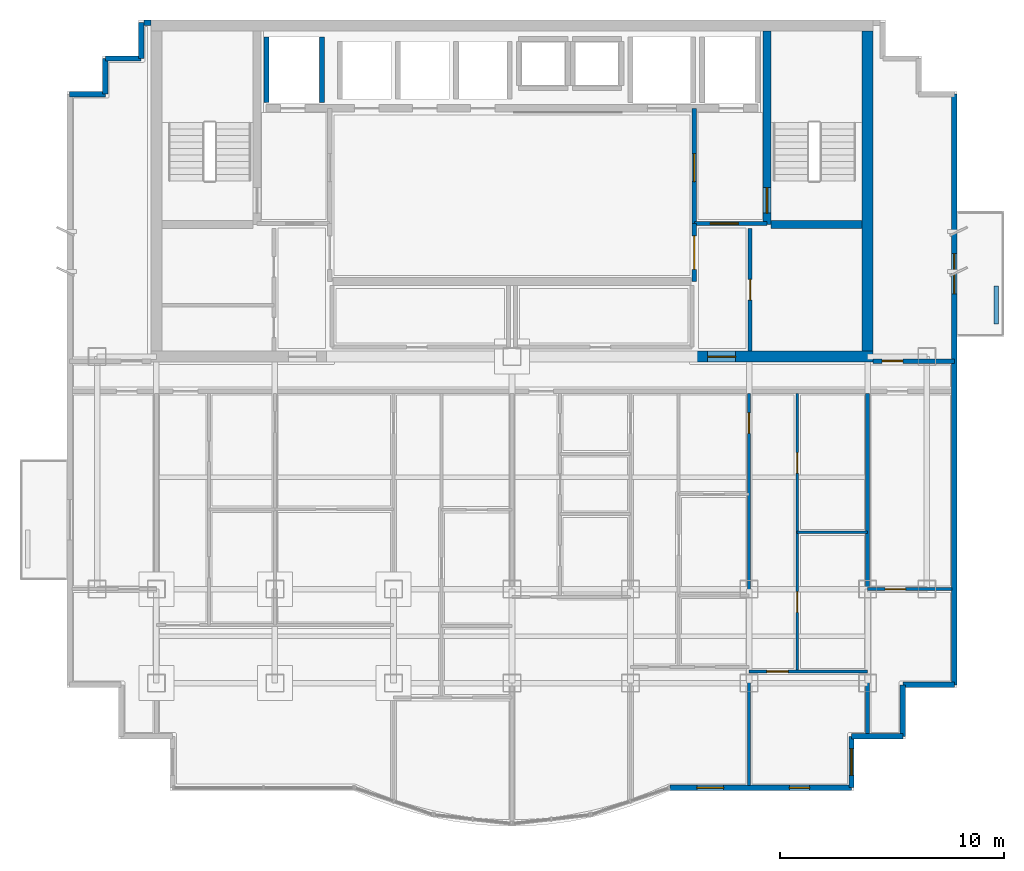
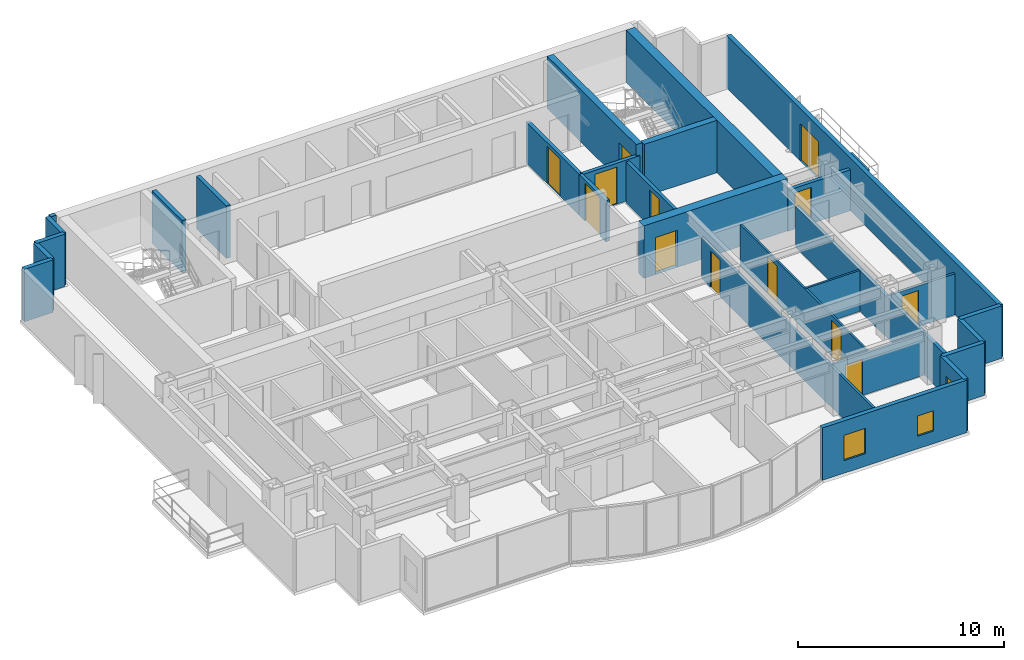
# One storey, part 6 of 9: 29 walls, 13 doors, 3 windows, 16 openings.
"""IFC4 building model written with IfcOpenShell, lengths in metres."""

from ifc_helpers import new_model, si_unit, direction, frame, frame_2d, origin, place, context, subcontext, project, spatial, rectangle, extrude, material, layer, layer_set, type_object, element, fill, save


model = new_model("IFC4")

# Units and contexts
model_context = context("Model", 3, precision=1e-05, world=origin(), true_north=direction((0.0, 1.0)))
body_context = subcontext(model_context, "Body", "Model", "MODEL_VIEW")
ifc_project = project(units=[si_unit("LENGTHUNIT", "METRE"), si_unit("AREAUNIT", "SQUARE_METRE"), si_unit("VOLUMEUNIT", "CUBIC_METRE"), si_unit("PLANEANGLEUNIT", "RADIAN"), si_unit("MASSUNIT", "GRAM", prefix="KILO")], contexts=[model_context])

# Site, building, storey
site_placement = place(None, origin())
site = spatial("IfcSite", under=ifc_project, at=site_placement, CompositionType="ELEMENT")
building_placement = place(site_placement, origin())
building = spatial("IfcBuilding", under=site, at=building_placement, Name="Qianlan Lanfeng Residences", CompositionType="ELEMENT")
storey_placement = place(building_placement, frame((0.0, 0.0, 213.199951171875)))
storey = spatial("IfcBuildingStorey", under=building, at=storey_placement, Name="L58", CompositionType="ELEMENT", Elevation=213.199951171875)

# Wall, opening, door
ifc_material_1 = material(Name="Concrete C49", Category="concrete")
ifc_layer_1 = layer(ifc_material_1, 0.35009765625)
ifc_layer_set_1 = layer_set([ifc_layer_1], Name="Concrete C49")
wall_type_1 = type_object("IfcWallType", Name="CW-RC-350", PredefinedType="SHEAR", material=ifc_layer_set_1)
wall_1_placement = place(storey_placement, frame((37.89990234375, 31.10009765625, 0.0), z_axis=(0.0, 0.0, 1.0), x_axis=(0.0, 1.0, 0.0)))
wall_1 = element("IfcWall", 1, at=wall_1_placement, inside=storey, type_object=wall_type_1, Name="L58 Core Shear Wall ST2W", PredefinedType="SHEAR", context=body_context, shape_type="SweptSolid", body=[
    extrude(rectangle(XDim=8.64990234375, YDim=0.35009765625, at=frame_2d((4.324951171875, 0.0))), origin(), (0.0, 0.0, 1.0), 3.110107421875),
])
opening_1_placement = place(wall_1_placement, frame((0.510009765625, 0.0, 0.0)))
opening_1 = element("IfcOpeningElement", 2, at=opening_1_placement, cuts=wall_1, Name="Opening L58-D08", PredefinedType="OPENING", context=body_context, shape_type="SweptSolid", body=[
    extrude(rectangle(XDim=1.14990234375, YDim=2.199951171875, at=frame_2d((0.574951171875, 1.10009765625))), frame((0.0, 0.18505859375, 0.0), z_axis=(0.0, -1.0, 0.0), x_axis=(1.0, 0.0, 0.0)), (0.0, 0.0, 1.0), 0.3701171875),
])
ifc_material_2 = material(Name="Painted Galvanised Steel Fire Door", Category="steel")
door_type_1 = type_object("IfcDoorType", Name="DT-ST1", OperationType="NOTDEFINED", PredefinedType="DOOR", material=ifc_material_2)
door_1_placement = place(opening_1_placement, origin())
door_1 = element("IfcDoor", 3, at=door_1_placement, inside=storey, type_object=door_type_1, Name="L58 Exit Stair ST-2 Door L58-D08 (DT-ST1)", OperationType="SINGLE_SWING_RIGHT", OverallHeight=2.199951171875, OverallWidth=1.14990234375, PredefinedType="DOOR", context=body_context, shape_type="SweptSolid", body=[
    extrude(rectangle(XDim=1.14990234375, YDim=2.199951171875, at=frame_2d((0.574951171875, 1.10009765625))), frame((0.0, 0.02490234375, 0.0), z_axis=(0.0, -1.0, 0.0), x_axis=(1.0, 0.0, 0.0)), (0.0, 0.0, 1.0), 0.050048828125),
])
fill(opening_1, door_1)

# Walls
wall_2_placement = place(storey_placement, frame((38.074951171875, 31.10009765625, 0.0), z_axis=(0.0, 0.0, 1.0), x_axis=(1.0, 0.0, 0.0)))
element("IfcWall", 4, at=wall_2_placement, inside=storey, type_object=wall_type_1, Name="L58 Core Shear Wall ST2S", PredefinedType="SHEAR", context=body_context, shape_type="SweptSolid", body=[
    extrude(rectangle(XDim=4.074951171875, YDim=0.35009765625, at=frame_2d((2.03759765625, 0.0))), origin(), (0.0, 0.0, 1.0), 3.110107421875),
])
ifc_material_3 = material(Name="Concrete C70", Category="concrete")
ifc_layer_2 = layer(ifc_material_3, 0.5)
ifc_layer_set_2 = layer_set([ifc_layer_2], Name="Concrete C70")
wall_type_2 = type_object("IfcWallType", Name="CW-RC-500", PredefinedType="SHEAR", material=ifc_layer_set_2)
wall_3_placement = place(storey_placement, frame((42.39990234375, 25.449951171875, 0.0), z_axis=(0.0, 0.0, 1.0), x_axis=(0.0, 1.0, 0.0)))
element("IfcWall", 5, at=wall_3_placement, inside=storey, type_object=wall_type_2, Name="L58 Core Shear Wall E", PredefinedType="SHEAR", context=body_context, shape_type="SweptSolid", body=[
    extrude(rectangle(XDim=14.300048828125, YDim=0.5, at=frame_2d((7.14990234375, 0.0))), origin(), (0.0, 0.0, 1.0), 3.110107421875),
])

# Wall, opening, door
wall_4_placement = place(storey_placement, frame((34.60009765625, 25.199951171875, 0.0), z_axis=(0.0, 0.0, 1.0), x_axis=(1.0, 0.0, 0.0)))
wall_4 = element("IfcWall", 6, at=wall_4_placement, inside=storey, type_object=wall_type_2, Name="L58 Core Shear Wall SE", PredefinedType="SHEAR", context=body_context, shape_type="SweptSolid", body=[
    extrude(rectangle(XDim=8.0498046875, YDim=0.5, at=frame_2d((4.02490234375, 0.0))), origin(), (0.0, 0.0, 1.0), 3.110107421875),
])
opening_2_placement = place(wall_4_placement, frame((0.64990234375, 0.0, 0.0)))
opening_2 = element("IfcOpeningElement", 7, at=opening_2_placement, cuts=wall_4, Name="Opening L58-D02", PredefinedType="OPENING", context=body_context, shape_type="SweptSolid", body=[
    extrude(rectangle(XDim=1.25, YDim=2.199951171875, at=frame_2d((0.625, 1.10009765625))), frame((0.0, 0.260009765625, 0.0), z_axis=(0.0, -1.0, 0.0), x_axis=(1.0, 0.0, 0.0)), (0.0, 0.0, 1.0), 0.52001953125),
])
door_type_2 = type_object("IfcDoorType", Name="DT-FFL", OperationType="NOTDEFINED", PredefinedType="DOOR", material=ifc_material_2)
door_2_placement = place(opening_2_placement, frame((1.25, 0.0, 0.0), z_axis=(0.0, 0.0, 1.0), x_axis=(-1.0, 0.0, 0.0)))
door_2 = element("IfcDoor", 8, at=door_2_placement, inside=storey, type_object=door_type_2, Name="L58 East Core Lobby Smoke Door L58-D02 (DT-FFL)", OperationType="SINGLE_SWING_LEFT", OverallHeight=2.199951171875, OverallWidth=1.25, PredefinedType="DOOR", context=body_context, shape_type="SweptSolid", body=[
    extrude(rectangle(XDim=1.25, YDim=2.199951171875, at=frame_2d((0.625, 1.10009765625))), frame((0.0, 0.02490234375, 0.0), z_axis=(0.0, -1.0, 0.0), x_axis=(1.0, 0.0, 0.0)), (0.0, 0.0, 1.0), 0.050048828125),
])
fill(opening_2, door_2)

# Wall, openings, windows
ifc_material_4 = material(Name="Concrete C42", Category="concrete")
ifc_layer_3 = layer(ifc_material_4, 0.239990234375)
ifc_layer_set_3 = layer_set([ifc_layer_3], Name="Concrete C42")
wall_type_3 = type_object("IfcWallType", Name="EW-240", PredefinedType="SOLIDWALL", material=ifc_layer_set_3)
wall_5_placement = place(storey_placement, frame((33.555908203125, 5.919921875, 0.0), z_axis=(0.0, 0.0, 1.0), x_axis=(1.0, 0.0, 0.0)))
wall_5 = element("IfcWall", 9, at=wall_5_placement, inside=storey, type_object=wall_type_3, Name="L58 Exterior Facade Spandrel Wall 5", PredefinedType="SOLIDWALL", context=body_context, shape_type="SweptSolid", body=[
    extrude(rectangle(XDim=8.1240234375, YDim=0.239990234375, at=frame_2d((4.06201171875, 0.0))), origin(), (0.0, 0.0, 1.0), 3.110107421875),
])
opening_3_placement = place(wall_5_placement, frame((5.347900390625, 0.0, 0.75)))
opening_3 = element("IfcOpeningElement", 10, at=opening_3_placement, cuts=wall_5, Name="Opening W-04", PredefinedType="OPENING", context=body_context, shape_type="SweptSolid", body=[
    extrude(rectangle(XDim=0.89990234375, YDim=1.199951171875, at=frame_2d((0.449951171875, 0.60009765625))), frame((0.0, 0.1298828125, 0.0), z_axis=(0.0, -1.0, 0.0), x_axis=(1.0, 0.0, 0.0)), (0.0, 0.0, 1.0), 0.260009765625),
])
opening_4_placement = place(wall_5_placement, frame((1.2080078125, 0.0, 0.75)))
opening_4 = element("IfcOpeningElement", 11, at=opening_4_placement, cuts=wall_5, Name="Opening W-03", PredefinedType="OPENING", context=body_context, shape_type="SweptSolid", body=[
    extrude(rectangle(XDim=1.199951171875, YDim=1.5, at=frame_2d((0.60009765625, 0.75))), frame((0.0, 0.1298828125, 0.0), z_axis=(0.0, -1.0, 0.0), x_axis=(1.0, 0.0, 0.0)), (0.0, 0.0, 1.0), 0.260009765625),
])
ifc_material_5 = material(Name="Anodised Bronze Aluminium Framed Double Glazing", Category="aluminium")
window_type_1 = type_object("IfcWindowType", Name="W-03", PartitioningType="SINGLE_PANEL", PredefinedType="WINDOW", material=ifc_material_5)
window_1_placement = place(opening_4_placement, origin())
window_1 = element("IfcWindow", 12, at=window_1_placement, inside=storey, type_object=window_type_1, Name="L58 Facade Bay Window W-03", OverallHeight=1.5, OverallWidth=1.199951171875, PartitioningType="SINGLE_PANEL", PredefinedType="WINDOW", context=body_context, shape_type="SweptSolid", body=[
    extrude(rectangle(XDim=1.199951171875, YDim=1.5, at=frame_2d((0.60009765625, 0.75))), frame((0.0, 0.030029296875, 0.0), z_axis=(0.0, -1.0, 0.0), x_axis=(1.0, 0.0, 0.0)), (0.0, 0.0, 1.0), 0.06005859375),
])
fill(opening_4, window_1)
window_type_2 = type_object("IfcWindowType", Name="W-04", PartitioningType="SINGLE_PANEL", PredefinedType="WINDOW", material=ifc_material_5)
window_2_placement = place(opening_3_placement, origin())
window_2 = element("IfcWindow", 13, at=window_2_placement, inside=storey, type_object=window_type_2, Name="L58 Facade Punched Window W-04", OverallHeight=1.199951171875, OverallWidth=0.89990234375, PartitioningType="SINGLE_PANEL", PredefinedType="WINDOW", context=body_context, shape_type="SweptSolid", body=[
    extrude(rectangle(XDim=0.89990234375, YDim=1.199951171875, at=frame_2d((0.449951171875, 0.60009765625))), frame((0.0, 0.030029296875, 0.0), z_axis=(0.0, -1.0, 0.0), x_axis=(1.0, 0.0, 0.0)), (0.0, 0.0, 1.0), 0.06005859375),
])
fill(opening_3, window_2)

# Wall, opening, window
wall_6_placement = place(storey_placement, frame((41.679931640625, 5.919921875, 0.0), z_axis=(0.0, 0.0, 1.0), x_axis=(0.0, 1.0, 0.0)))
wall_6 = element("IfcWall", 14, at=wall_6_placement, inside=storey, type_object=wall_type_3, Name="L58 Exterior Facade Spandrel Wall 6", PredefinedType="SOLIDWALL", context=body_context, shape_type="SweptSolid", body=[
    extrude(rectangle(XDim=2.300048828125, YDim=0.239990234375, at=frame_2d((1.14990234375, 0.0))), origin(), (0.0, 0.0, 1.0), 3.110107421875),
])
opening_5_placement = place(wall_6_placement, frame((0.550048828125, 0.0, 0.75)))
opening_5 = element("IfcOpeningElement", 15, at=opening_5_placement, cuts=wall_6, Name="Opening W-03", PredefinedType="OPENING", context=body_context, shape_type="SweptSolid", body=[
    extrude(rectangle(XDim=1.199951171875, YDim=1.5, at=frame_2d((0.60009765625, 0.75))), frame((0.0, 0.1298828125, 0.0), z_axis=(0.0, -1.0, 0.0), x_axis=(1.0, 0.0, 0.0)), (0.0, 0.0, 1.0), 0.260009765625),
])
window_3_placement = place(opening_5_placement, origin())
window_3 = element("IfcWindow", 16, at=window_3_placement, inside=storey, type_object=window_type_1, Name="L58 Facade Punched Window W-03", OverallHeight=1.5, OverallWidth=1.199951171875, PartitioningType="SINGLE_PANEL", PredefinedType="WINDOW", context=body_context, shape_type="SweptSolid", body=[
    extrude(rectangle(XDim=1.199951171875, YDim=1.5, at=frame_2d((0.60009765625, 0.75))), frame((0.0, 0.030029296875, 0.0), z_axis=(0.0, -1.0, 0.0), x_axis=(1.0, 0.0, 0.0)), (0.0, 0.0, 1.0), 0.06005859375),
])
fill(opening_5, window_3)

# Walls
for number, where, z_axis, x_axis, name in (
    (17, (41.679931640625, 8.219970703125, 0.0), (0.0, 0.0, 1.0), (1.0, 0.0, 0.0), "L58 Exterior Facade Spandrel Wall 7"),
    (18, (43.97998046875, 8.219970703125, 0.0), (0.0, 0.0, 1.0), (0.0, 1.0, 0.0), "L58 Exterior Facade Spandrel Wall 8"),
    (19, (43.97998046875, 10.52001953125, 0.0), (0.0, 0.0, 1.0), (1.0, 0.0, 0.0), "L58 Exterior Facade Spandrel Wall 9"),
):
    element("IfcWall", number, at=place(storey_placement, frame(where, z_axis=z_axis, x_axis=x_axis)), inside=storey, type_object=wall_type_3, Name=name, PredefinedType="SOLIDWALL", context=body_context, shape_type="SweptSolid", body=[
        extrude(rectangle(XDim=2.300048828125, YDim=0.239990234375, at=frame_2d((1.14990234375, 0.0))), origin(), (0.0, 0.0, 1.0), 3.110107421875),
    ])

# Wall, opening, door
wall_7_placement = place(storey_placement, frame((46.280029296875, 10.52001953125, 0.0), z_axis=(0.0, 0.0, 1.0), x_axis=(0.0, 1.0, 0.0)))
wall_7 = element("IfcWall", 20, at=wall_7_placement, inside=storey, type_object=wall_type_3, Name="L58 Terrace/Balcony Access Exterior Wall 10", PredefinedType="SOLIDWALL", context=body_context, shape_type="SweptSolid", body=[
    extrude(rectangle(XDim=26.409912109375, YDim=0.239990234375, at=frame_2d((13.205078125, 0.0))), origin(), (0.0, 0.0, 1.0), 3.110107421875),
])
opening_6_placement = place(wall_7_placement, frame((17.47998046875, 0.0, 0.0)))
opening_6 = element("IfcOpeningElement", 21, at=opening_6_placement, cuts=wall_7, Name="Opening L58-D-EB-N", PredefinedType="OPENING", context=body_context, shape_type="SweptSolid", body=[
    extrude(rectangle(XDim=1.800048828125, YDim=2.199951171875, at=frame_2d((0.89990234375, 1.10009765625))), frame((0.0, 0.1298828125, 0.0), z_axis=(0.0, -1.0, 0.0), x_axis=(1.0, 0.0, 0.0)), (0.0, 0.0, 1.0), 0.260009765625),
])
ifc_material_6 = material(Name="Anodised Bronze Aluminium Framed Glass", Category="aluminium")
door_type_3 = type_object("IfcDoorType", Name="DT-BAL1", OperationType="NOTDEFINED", PredefinedType="DOOR", material=ifc_material_6)
door_3_placement = place(opening_6_placement, frame((1.800048828125, 0.0, 0.0), z_axis=(0.0, 0.0, 1.0), x_axis=(-1.0, 0.0, 0.0)))
door_3 = element("IfcDoor", 22, at=door_3_placement, inside=storey, type_object=door_type_3, Name="L58 Exterior Access Door EB-N", OperationType="DOUBLE_DOOR_SLIDING", OverallHeight=2.199951171875, OverallWidth=1.800048828125, PredefinedType="DOOR", context=body_context, shape_type="SweptSolid", body=[
    extrude(rectangle(XDim=1.800048828125, YDim=2.199951171875, at=frame_2d((0.89990234375, 1.10009765625))), frame((0.0, 0.02490234375, 0.0), z_axis=(0.0, -1.0, 0.0), x_axis=(1.0, 0.0, 0.0)), (0.0, 0.0, 1.0), 0.050048828125),
])
fill(opening_6, door_3)

# Walls
wall_8_placement = place(storey_placement, frame((10.35009765625, 40.1298828125, 0.0), z_axis=(0.0, 0.0, 1.0), x_axis=(-1.0, 0.0, 0.0)))
element("IfcWall", 23, at=wall_8_placement, inside=storey, type_object=wall_type_3, Name="L58 North Wing Exterior Wall W", PredefinedType="SOLIDWALL", context=body_context, shape_type="SweptSolid", body=[
    extrude(rectangle(XDim=0.300048828125, YDim=0.239990234375, at=frame_2d((0.14990234375, 0.0))), origin(), (0.0, 0.0, 1.0), 3.110107421875),
])
for number, where, z_axis, x_axis, name in (
    (24, (9.919921875, 40.1298828125, 0.0), (0.0, 0.0, 1.0), (0.0, -1.0, 0.0), "L58 Exterior Facade Spandrel Wall 17"),
    (25, (9.919921875, 38.530029296875, 0.0), (0.0, 0.0, 1.0), (-1.0, 0.0, 0.0), "L58 Exterior Facade Spandrel Wall 18"),
):
    element("IfcWall", number, at=place(storey_placement, frame(where, z_axis=z_axis, x_axis=x_axis)), inside=storey, type_object=wall_type_3, Name=name, PredefinedType="SOLIDWALL", context=body_context, shape_type="SweptSolid", body=[
        extrude(rectangle(XDim=1.599853515625, YDim=0.239990234375, at=frame_2d((0.7998046875, 0.0))), origin(), (0.0, 0.0, 1.0), 3.110107421875),
    ])
for number, where, z_axis, x_axis, name in (
    (26, (8.320068359375, 38.530029296875, 0.0), (0.0, 0.0, 1.0), (0.0, -1.0, 0.0), "L58 Exterior Facade Spandrel Wall 19"),
    (27, (8.320068359375, 36.929931640625, 0.0), (0.0, 0.0, 1.0), (-1.0, 0.0, 0.0), "L58 Exterior Facade Spandrel Wall 20"),
):
    element("IfcWall", number, at=place(storey_placement, frame(where, z_axis=z_axis, x_axis=x_axis)), inside=storey, type_object=wall_type_3, Name=name, PredefinedType="SOLIDWALL", context=body_context, shape_type="SweptSolid", body=[
        extrude(rectangle(XDim=1.60009765625, YDim=0.239990234375, at=frame_2d((0.800048828125, 0.0))), origin(), (0.0, 0.0, 1.0), 3.110107421875),
    ])
ifc_layer_4 = layer(ifc_material_4, 0.199951171875)
ifc_layer_set_4 = layer_set([ifc_layer_4], Name="Concrete C42")
wall_type_4 = type_object("IfcWallType", Name="PL-TREE-200", PredefinedType="PARAPET", material=ifc_layer_set_4)
wall_9_placement = place(storey_placement, frame((48.14990234375, 26.64990234375, 0.0), z_axis=(0.0, 0.0, 1.0), x_axis=(0.0, 1.0, 0.0)))
element("IfcWall", 28, at=wall_9_placement, inside=storey, type_object=wall_type_4, Name="L58 East Tree Planter Curb EB-N", PredefinedType="PARAPET", context=body_context, shape_type="SweptSolid", body=[
    extrude(rectangle(XDim=1.7001953125, YDim=0.199951171875, at=frame_2d((0.85009765625, 0.0))), origin(), (0.0, 0.0, 1.0), 0.650146484375),
])

# Wall, openings, doors
ifc_material_7 = material(Name="Demountable Acoustic Framing Partition 110 mm")
ifc_layer_5 = layer(ifc_material_7, 0.110107421875)
ifc_layer_set_5 = layer_set([ifc_layer_5], Name="Demountable Acoustic Framing Partition 110 mm")
wall_type_5 = type_object("IfcWallType", Name="PW-110", PredefinedType="MOVABLE", material=ifc_layer_set_5)
wall_10_placement = place(storey_placement, frame((39.25, 11.1201171875, 0.0), z_axis=(0.0, 0.0, 1.0), x_axis=(0.0, 1.0, 0.0)))
wall_10 = element("IfcWall", 29, at=wall_10_placement, inside=storey, type_object=wall_type_5, Name="L58 U02 Bedroom 2 Hall Wall", PredefinedType="MOVABLE", context=body_context, shape_type="SweptSolid", body=[
    extrude(rectangle(XDim=12.429931640625, YDim=0.110107421875, at=frame_2d((6.21484375, 0.0))), origin(), (0.0, 0.0, 1.0), 2.429931640625),
])
opening_7_placement = place(wall_10_placement, frame((2.64697265625, 0.0, 0.0)))
opening_7 = element("IfcOpeningElement", 30, at=opening_7_placement, cuts=wall_10, Name="Opening L58-D39", PredefinedType="OPENING", context=body_context, shape_type="SweptSolid", body=[
    extrude(rectangle(XDim=0.919921875, YDim=2.14990234375, at=frame_2d((0.4599609375, 1.074951171875))), frame((0.0, 0.06494140625, 0.0), z_axis=(0.0, -1.0, 0.0), x_axis=(1.0, 0.0, 0.0)), (0.0, 0.0, 1.0), 0.130126953125),
])
opening_8_placement = place(wall_10_placement, frame((8.863037109375, 0.0, 0.0)))
opening_8 = element("IfcOpeningElement", 31, at=opening_8_placement, cuts=wall_10, Name="Opening L58-D40", PredefinedType="OPENING", context=body_context, shape_type="SweptSolid", body=[
    extrude(rectangle(XDim=0.919921875, YDim=2.14990234375, at=frame_2d((0.4599609375, 1.074951171875))), frame((0.0, 0.06494140625, 0.0), z_axis=(0.0, -1.0, 0.0), x_axis=(1.0, 0.0, 0.0)), (0.0, 0.0, 1.0), 0.130126953125),
])
ifc_material_8 = material(Name="Glazed Timber Kitchen/Study Door", Category="wood")
door_type_4 = type_object("IfcDoorType", Name="DT-INT", OperationType="NOTDEFINED", PredefinedType="DOOR", material=ifc_material_8)
door_4_placement = place(opening_7_placement, origin())
door_4 = element("IfcDoor", 32, at=door_4_placement, inside=storey, type_object=door_type_4, Name="L58 U02 Utility Door L58-D39 (DT-INT)", OperationType="SINGLE_SWING_LEFT", OverallHeight=2.14990234375, OverallWidth=0.919921875, PredefinedType="DOOR", context=body_context, shape_type="SweptSolid", body=[
    extrude(rectangle(XDim=0.919921875, YDim=2.14990234375, at=frame_2d((0.4599609375, 1.074951171875))), frame((0.0, 0.02490234375, 0.0), z_axis=(0.0, -1.0, 0.0), x_axis=(1.0, 0.0, 0.0)), (0.0, 0.0, 1.0), 0.050048828125),
])
fill(opening_7, door_4)
door_5_placement = place(opening_8_placement, origin())
door_5 = element("IfcDoor", 33, at=door_5_placement, inside=storey, type_object=door_type_4, Name="L58 U02 Specialty Door L58-D40 (DT-INT)", OperationType="SINGLE_SWING_RIGHT", OverallHeight=2.14990234375, OverallWidth=0.919921875, PredefinedType="DOOR", context=body_context, shape_type="SweptSolid", body=[
    extrude(rectangle(XDim=0.919921875, YDim=2.14990234375, at=frame_2d((0.4599609375, 1.074951171875))), frame((0.0, 0.02490234375, 0.0), z_axis=(0.0, -1.0, 0.0), x_axis=(1.0, 0.0, 0.0)), (0.0, 0.0, 1.0), 0.050048828125),
])
fill(opening_8, door_5)

# Wall
wall_11_placement = place(storey_placement, frame((39.25, 17.3349609375, 0.0), z_axis=(0.0, 0.0, 1.0), x_axis=(1.0, 0.0, 0.0)))
element("IfcWall", 34, at=wall_11_placement, inside=storey, type_object=wall_type_5, Name="L58 U02 Specialty Split Wall", PredefinedType="MOVABLE", context=body_context, shape_type="SweptSolid", body=[
    extrude(rectangle(XDim=3.14990234375, YDim=0.110107421875, at=frame_2d((1.574951171875, 0.0))), origin(), (0.0, 0.0, 1.0), 2.429931640625),
])

# Wall, opening, door
ifc_material_9 = material(Name="Moisture-Resistant Gypsum Partition 135 mm")
ifc_layer_6 = layer(ifc_material_9, 0.135009765625)
ifc_layer_set_6 = layer_set([ifc_layer_6], Name="Moisture-Resistant Gypsum Partition 135 mm")
wall_type_6 = type_object("IfcWallType", Name="PW-135", PredefinedType="PARTITIONING", material=ifc_layer_set_6)
wall_12_placement = place(storey_placement, frame((37.10009765625, 6.02001953125, 0.0), z_axis=(0.0, 0.0, 1.0), x_axis=(0.0, 1.0, 0.0)))
wall_12 = element("IfcWall", 35, at=wall_12_placement, inside=storey, type_object=wall_type_6, Name="L58 U02 Bay Spine Wall 2", PredefinedType="PARTITIONING", context=body_context, shape_type="SweptSolid", body=[
    extrude(rectangle(XDim=17.530029296875, YDim=0.135009765625, at=frame_2d((8.76513671875, 0.0))), origin(), (0.0, 0.0, 1.0), 2.429931640625),
])
opening_9_placement = place(wall_12_placement, frame((15.7451171875, 0.0, 0.0)))
opening_9 = element("IfcOpeningElement", 36, at=opening_9_placement, cuts=wall_12, Name="Opening L58-D29", PredefinedType="OPENING", context=body_context, shape_type="SweptSolid", body=[
    extrude(rectangle(XDim=0.919921875, YDim=2.14990234375, at=frame_2d((0.4599609375, 1.074951171875))), frame((0.0, 0.07763671875, 0.0), z_axis=(0.0, -1.0, 0.0), x_axis=(1.0, 0.0, 0.0)), (0.0, 0.0, 1.0), 0.155029296875),
])
door_6_placement = place(opening_9_placement, origin())
door_6 = element("IfcDoor", 37, at=door_6_placement, inside=storey, type_object=door_type_4, Name="L58 U02 Internal Hall Door L58-D29 (DT-INT)", OperationType="SINGLE_SWING_LEFT", OverallHeight=2.14990234375, OverallWidth=0.919921875, PredefinedType="DOOR", context=body_context, shape_type="SweptSolid", body=[
    extrude(rectangle(XDim=0.919921875, YDim=2.14990234375, at=frame_2d((0.4599609375, 1.074951171875))), frame((0.0, 0.02490234375, 0.0), z_axis=(0.0, -1.0, 0.0), x_axis=(1.0, 0.0, 0.0)), (0.0, 0.0, 1.0), 0.050048828125),
])
fill(opening_9, door_6)

wall_13_placement = place(storey_placement, frame((37.10009765625, 11.1201171875, 0.0), z_axis=(0.0, 0.0, 1.0), x_axis=(1.0, 0.0, 0.0)))
wall_13 = element("IfcWall", 38, at=wall_13_placement, inside=storey, type_object=wall_type_6, Name="L58 U02 Bedroom 2 North Wall", PredefinedType="PARTITIONING", context=body_context, shape_type="SweptSolid", body=[
    extrude(rectangle(XDim=5.2998046875, YDim=0.135009765625, at=frame_2d((2.64990234375, 0.0))), origin(), (0.0, 0.0, 1.0), 2.429931640625),
])
opening_10_placement = place(wall_13_placement, frame((0.800048828125, 0.0, 0.0)))
opening_10 = element("IfcOpeningElement", 39, at=opening_10_placement, cuts=wall_13, Name="Opening L58-D38", PredefinedType="OPENING", context=body_context, shape_type="SweptSolid", body=[
    extrude(rectangle(XDim=0.949951171875, YDim=2.14990234375, at=frame_2d((0.47509765625, 1.074951171875))), frame((0.0, 0.07763671875, 0.0), z_axis=(0.0, -1.0, 0.0), x_axis=(1.0, 0.0, 0.0)), (0.0, 0.0, 1.0), 0.155029296875),
])
ifc_material_10 = material(Name="Painted Solid-Core Timber Leaf", Category="wood")
door_type_5 = type_object("IfcDoorType", Name="DT-BED", OperationType="NOTDEFINED", PredefinedType="DOOR", material=ifc_material_10)
door_7_placement = place(opening_10_placement, origin())
door_7 = element("IfcDoor", 40, at=door_7_placement, inside=storey, type_object=door_type_5, Name="L58 U02 Bedroom 2 Door L58-D38 (DT-BED)", OperationType="SINGLE_SWING_LEFT", OverallHeight=2.14990234375, OverallWidth=0.949951171875, PredefinedType="DOOR", context=body_context, shape_type="SweptSolid", body=[
    extrude(rectangle(XDim=0.949951171875, YDim=2.14990234375, at=frame_2d((0.47509765625, 1.074951171875))), frame((0.0, 0.02490234375, 0.0), z_axis=(0.0, -1.0, 0.0), x_axis=(1.0, 0.0, 0.0)), (0.0, 0.0, 1.0), 0.050048828125),
])
fill(opening_10, door_7)

wall_14_placement = place(storey_placement, frame((42.39990234375, 14.800048828125, 0.0), z_axis=(0.0, 0.0, 1.0), x_axis=(1.0, 0.0, 0.0)))
wall_14 = element("IfcWall", 41, at=wall_14_placement, inside=storey, type_object=wall_type_6, Name="L58 SEP Mid Partition", PredefinedType="PARTITIONING", context=body_context, shape_type="SweptSolid", body=[
    extrude(rectangle(XDim=3.780029296875, YDim=0.135009765625, at=frame_2d((1.89013671875, 0.0))), origin(), (0.0, 0.0, 1.0), 2.429931640625),
])
opening_11_placement = place(wall_14_placement, frame((0.780029296875, 0.0, 0.0)))
opening_11 = element("IfcOpeningElement", 42, at=opening_11_placement, cuts=wall_14, Name="Opening L58-D43", PredefinedType="OPENING", context=body_context, shape_type="SweptSolid", body=[
    extrude(rectangle(XDim=0.919921875, YDim=2.14990234375, at=frame_2d((0.4599609375, 1.074951171875))), frame((0.0, 0.07763671875, 0.0), z_axis=(0.0, -1.0, 0.0), x_axis=(1.0, 0.0, 0.0)), (0.0, 0.0, 1.0), 0.155029296875),
])
door_8_placement = place(opening_11_placement, origin())
door_8 = element("IfcDoor", 43, at=door_8_placement, inside=storey, type_object=door_type_4, Name="L58 SEP Inner Door L58-D43 (DT-INT)", OperationType="SINGLE_SWING_RIGHT", OverallHeight=2.14990234375, OverallWidth=0.919921875, PredefinedType="DOOR", context=body_context, shape_type="SweptSolid", body=[
    extrude(rectangle(XDim=0.919921875, YDim=2.14990234375, at=frame_2d((0.4599609375, 1.074951171875))), frame((0.0, 0.02490234375, 0.0), z_axis=(0.0, -1.0, 0.0), x_axis=(1.0, 0.0, 0.0)), (0.0, 0.0, 1.0), 0.050048828125),
])
fill(opening_11, door_8)

ifc_material_11 = material(Name="Double-Layer Acoustic Gypsum Stud Wall 180 mm")
ifc_layer_7 = layer(ifc_material_11, 0.179931640625)
ifc_layer_set_7 = layer_set([ifc_layer_7], Name="Double-Layer Acoustic Gypsum Stud Wall 180 mm")
wall_type_7 = type_object("IfcWallType", Name="PW-180", PredefinedType="PARTITIONING", material=ifc_layer_set_7)
wall_15_placement = place(storey_placement, frame((37.14990234375, 25.449951171875, 0.0), z_axis=(0.0, 0.0, 1.0), x_axis=(0.0, 1.0, 0.0)))
wall_15 = element("IfcWall", 44, at=wall_15_placement, inside=storey, type_object=wall_type_7, Name="L58 Core East Service Room Wall", PredefinedType="PARTITIONING", context=body_context, shape_type="SweptSolid", body=[
    extrude(rectangle(XDim=5.47509765625, YDim=0.179931640625, at=frame_2d((2.737548828125, 0.0))), origin(), (0.0, 0.0, 1.0), 2.429931640625),
])
opening_12_placement = place(wall_15_placement, frame((2.277099609375, 0.0, 0.0)))
opening_12 = element("IfcOpeningElement", 45, at=opening_12_placement, cuts=wall_15, Name="Opening L58-D11", PredefinedType="OPENING", context=body_context, shape_type="SweptSolid", body=[
    extrude(rectangle(XDim=0.919921875, YDim=2.14990234375, at=frame_2d((0.4599609375, 1.074951171875))), frame((0.0, 0.10009765625, 0.0), z_axis=(0.0, -1.0, 0.0), x_axis=(1.0, 0.0, 0.0)), (0.0, 0.0, 1.0), 0.199951171875),
])
door_9_placement = place(opening_12_placement, origin())
door_9 = element("IfcDoor", 46, at=door_9_placement, inside=storey, type_object=door_type_4, Name="L58 Mail Parcel Closet Door L58-D11 (DT-INT)", OperationType="SINGLE_SWING_LEFT", OverallHeight=2.14990234375, OverallWidth=0.919921875, PredefinedType="DOOR", context=body_context, shape_type="SweptSolid", body=[
    extrude(rectangle(XDim=0.919921875, YDim=2.14990234375, at=frame_2d((0.4599609375, 1.074951171875))), frame((0.0, 0.02490234375, 0.0), z_axis=(0.0, -1.0, 0.0), x_axis=(1.0, 0.0, 0.0)), (0.0, 0.0, 1.0), 0.050048828125),
])
fill(opening_12, door_9)

# Wall
wall_16_placement = place(storey_placement, frame((42.39990234375, 8.320068359375, 0.0), z_axis=(0.0, 0.0, 1.0), x_axis=(0.0, 1.0, 0.0)))
element("IfcWall", 47, at=wall_16_placement, inside=storey, type_object=wall_type_7, Name="L58 Wing Boundary Party Wall E0", PredefinedType="PARTITIONING", context=body_context, shape_type="SweptSolid", body=[
    extrude(rectangle(XDim=15.22998046875, YDim=0.179931640625, at=frame_2d((7.614990234375, 0.0))), origin(), (0.0, 0.0, 1.0), 2.429931640625),
])

# Wall, opening, door
ifc_material_12 = material(Name="Autoclaved Aerated Concrete Blockwork 200 mm", Category="masonry")
ifc_layer_8 = layer(ifc_material_12, 0.199951171875)
ifc_layer_set_8 = layer_set([ifc_layer_8], Name="Autoclaved Aerated Concrete Blockwork 200 mm")
wall_type_8 = type_object("IfcWallType", Name="PW-200", PredefinedType="PARTITIONING", material=ifc_layer_set_8)
wall_17_placement = place(storey_placement, frame((34.64990234375, 31.14990234375, 0.0), z_axis=(0.0, 0.0, 1.0), x_axis=(1.0, 0.0, 0.0)))
wall_17 = element("IfcWall", 48, at=wall_17_placement, inside=storey, type_object=wall_type_8, Name="L58 Firefighting Lobby 2 South Wall", PredefinedType="PARTITIONING", context=body_context, shape_type="SweptSolid", body=[
    extrude(rectangle(XDim=3.25, YDim=0.199951171875, at=frame_2d((1.625, 0.0))), origin(), (0.0, 0.0, 1.0), 2.429931640625),
])
opening_13_placement = place(wall_17_placement, frame((0.72509765625, 0.0, 0.0)))
opening_13 = element("IfcOpeningElement", 49, at=opening_13_placement, cuts=wall_17, Name="Opening L58-D05", PredefinedType="OPENING", context=body_context, shape_type="SweptSolid", body=[
    extrude(rectangle(XDim=1.25, YDim=2.199951171875, at=frame_2d((0.625, 1.10009765625))), frame((0.0, 0.10986328125, 0.0), z_axis=(0.0, -1.0, 0.0), x_axis=(1.0, 0.0, 0.0)), (0.0, 0.0, 1.0), 0.219970703125),
])
door_10_placement = place(opening_13_placement, origin())
door_10 = element("IfcDoor", 50, at=door_10_placement, inside=storey, type_object=door_type_2, Name="L58 Firefighting Lobby 2 Entry Door L58-D05 (DT-FFL)", OperationType="SINGLE_SWING_RIGHT", OverallHeight=2.199951171875, OverallWidth=1.25, PredefinedType="DOOR", context=body_context, shape_type="SweptSolid", body=[
    extrude(rectangle(XDim=1.25, YDim=2.199951171875, at=frame_2d((0.625, 1.10009765625))), frame((0.0, 0.02490234375, 0.0), z_axis=(0.0, -1.0, 0.0), x_axis=(1.0, 0.0, 0.0)), (0.0, 0.0, 1.0), 0.050048828125),
])
fill(opening_13, door_10)

wall_18_placement = place(storey_placement, frame((34.64990234375, 31.14990234375, 0.0), z_axis=(0.0, 0.0, 1.0), x_axis=(0.0, 1.0, 0.0)))
wall_18 = element("IfcWall", 51, at=wall_18_placement, inside=storey, type_object=wall_type_8, Name="L58 Firefighting Lobby 2 West Wall", PredefinedType="PARTITIONING", context=body_context, shape_type="SweptSolid", body=[
    extrude(rectangle(XDim=5.150146484375, YDim=0.199951171875, at=frame_2d((2.5751953125, 0.0))), origin(), (0.0, 0.0, 1.0), 2.429931640625),
])
opening_14_placement = place(wall_18_placement, frame((1.875, 0.0, 0.0)))
opening_14 = element("IfcOpeningElement", 52, at=opening_14_placement, cuts=wall_18, Name="Opening L58-D06", PredefinedType="OPENING", context=body_context, shape_type="SweptSolid", body=[
    extrude(rectangle(XDim=1.25, YDim=2.199951171875, at=frame_2d((0.625, 1.10009765625))), frame((0.0, 0.10986328125, 0.0), z_axis=(0.0, -1.0, 0.0), x_axis=(1.0, 0.0, 0.0)), (0.0, 0.0, 1.0), 0.219970703125),
])
door_11_placement = place(opening_14_placement, origin())
door_11 = element("IfcDoor", 53, at=door_11_placement, inside=storey, type_object=door_type_2, Name="L58 Firefighting Lobby 2 Lift Lobby Door L58-D06 (DT-FFL)", OperationType="SINGLE_SWING_RIGHT", OverallHeight=2.199951171875, OverallWidth=1.25, PredefinedType="DOOR", context=body_context, shape_type="SweptSolid", body=[
    extrude(rectangle(XDim=1.25, YDim=2.199951171875, at=frame_2d((0.625, 1.10009765625))), frame((0.0, 0.02490234375, 0.0), z_axis=(0.0, -1.0, 0.0), x_axis=(1.0, 0.0, 0.0)), (0.0, 0.0, 1.0), 0.050048828125),
])
fill(opening_14, door_11)

wall_19_placement = place(storey_placement, frame((34.64990234375, 28.550048828125, 0.0), z_axis=(0.0, 0.0, 1.0), x_axis=(0.0, 1.0, 0.0)))
wall_19 = element("IfcWall", 54, at=wall_19_placement, inside=storey, type_object=wall_type_8, Name="L58 Lift Lobby East Connector Wall", PredefinedType="PARTITIONING", context=body_context, shape_type="SweptSolid", body=[
    extrude(rectangle(XDim=2.599853515625, YDim=0.199951171875, at=frame_2d((1.2998046875, 0.0))), origin(), (0.0, 0.0, 1.0), 2.429931640625),
])
opening_15_placement = place(wall_19_placement, frame((0.550048828125, 0.0, 0.0)))
opening_15 = element("IfcOpeningElement", 55, at=opening_15_placement, cuts=wall_19, Name="Opening L58-D13", PredefinedType="OPENING", context=body_context, shape_type="SweptSolid", body=[
    extrude(rectangle(XDim=1.5, YDim=2.25, at=frame_2d((0.75, 1.125))), frame((0.0, 0.10986328125, 0.0), z_axis=(0.0, -1.0, 0.0), x_axis=(1.0, 0.0, 0.0)), (0.0, 0.0, 1.0), 0.219970703125),
])
ifc_material_13 = material(Name="Timber Veneer Acoustic Fire Door", Category="wood")
door_type_6 = type_object("IfcDoorType", Name="DT-COR1", OperationType="NOTDEFINED", PredefinedType="DOOR", material=ifc_material_13)
door_12_placement = place(opening_15_placement, frame((1.5, 0.0, 0.0), z_axis=(0.0, 0.0, 1.0), x_axis=(-1.0, 0.0, 0.0)))
door_12 = element("IfcDoor", 56, at=door_12_placement, inside=storey, type_object=door_type_6, Name="L58 Lift Lobby East Portal Door L58-D13 (DT-COR1)", OperationType="DOUBLE_DOOR_SINGLE_SWING", OverallHeight=2.25, OverallWidth=1.5, PredefinedType="DOOR", context=body_context, shape_type="SweptSolid", body=[
    extrude(rectangle(XDim=1.5, YDim=2.25, at=frame_2d((0.75, 1.125))), frame((0.0, 0.02490234375, 0.0), z_axis=(0.0, -1.0, 0.0), x_axis=(1.0, 0.0, 0.0)), (0.0, 0.0, 1.0), 0.050048828125),
])
fill(opening_15, door_12)

wall_20_placement = place(storey_placement, frame((42.64990234375, 25.0, 0.0), z_axis=(0.0, 0.0, 1.0), x_axis=(1.0, 0.0, 0.0)))
wall_20 = element("IfcWall", 57, at=wall_20_placement, inside=storey, type_object=wall_type_8, Name="L58 Corridor NE Wall", PredefinedType="PARTITIONING", context=body_context, shape_type="SweptSolid", body=[
    extrude(rectangle(XDim=3.630126953125, YDim=0.199951171875, at=frame_2d((1.81494140625, 0.0))), origin(), (0.0, 0.0, 1.0), 2.429931640625),
])
opening_16_placement = place(wall_20_placement, frame((0.405029296875, 0.0, 0.0)))
opening_16 = element("IfcOpeningElement", 58, at=opening_16_placement, cuts=wall_20, Name="Opening L58-D46", PredefinedType="OPENING", context=body_context, shape_type="SweptSolid", body=[
    extrude(rectangle(XDim=0.919921875, YDim=2.14990234375, at=frame_2d((0.4599609375, 1.074951171875))), frame((0.0, 0.10986328125, 0.0), z_axis=(0.0, -1.0, 0.0), x_axis=(1.0, 0.0, 0.0)), (0.0, 0.0, 1.0), 0.219970703125),
])
door_13_placement = place(opening_16_placement, frame((0.919921875, 0.0, 0.0), z_axis=(0.0, 0.0, 1.0), x_axis=(-1.0, 0.0, 0.0)))
door_13 = element("IfcDoor", 59, at=door_13_placement, inside=storey, type_object=door_type_4, Name="L58 EW Amenity Salon Door L58-D46 (DT-INT)", OperationType="SINGLE_SWING_RIGHT", OverallHeight=2.14990234375, OverallWidth=0.919921875, PredefinedType="DOOR", context=body_context, shape_type="SweptSolid", body=[
    extrude(rectangle(XDim=0.919921875, YDim=2.14990234375, at=frame_2d((0.4599609375, 1.074951171875))), frame((0.0, 0.02490234375, 0.0), z_axis=(0.0, -1.0, 0.0), x_axis=(1.0, 0.0, 0.0)), (0.0, 0.0, 1.0), 0.050048828125),
])
fill(opening_16, door_13)

# Walls
ifc_layer_9 = layer(ifc_material_1, 0.219970703125)
ifc_layer_set_9 = layer_set([ifc_layer_9], Name="Concrete C49")
wall_type_9 = type_object("IfcWallType", Name="SHW-220", PredefinedType="SOLIDWALL", material=ifc_layer_set_9)
for number, where, z_axis, x_axis, name in (
    (60, (15.52001953125, 36.550048828125, 0.0), (0.0, 0.0, 1.0), (0.0, 1.0, 0.0), "L58 Lift FFL-1 Shaft Wall W"),
    (61, (18.0, 36.550048828125, 0.0), (0.0, 0.0, 1.0), (0.0, 1.0, 0.0), "L58 Lift FFL-1 Shaft Wall E"),
):
    element("IfcWall", number, at=place(storey_placement, frame(where, z_axis=z_axis, x_axis=x_axis)), inside=storey, type_object=wall_type_9, Name=name, PredefinedType="SOLIDWALL", context=body_context, shape_type="SweptSolid", body=[
        extrude(rectangle(XDim=2.929931640625, YDim=0.219970703125, at=frame_2d((1.46484375, 0.0))), origin(), (0.0, 0.0, 1.0), 3.110107421875),
    ])

save(model, "model.ifc")
